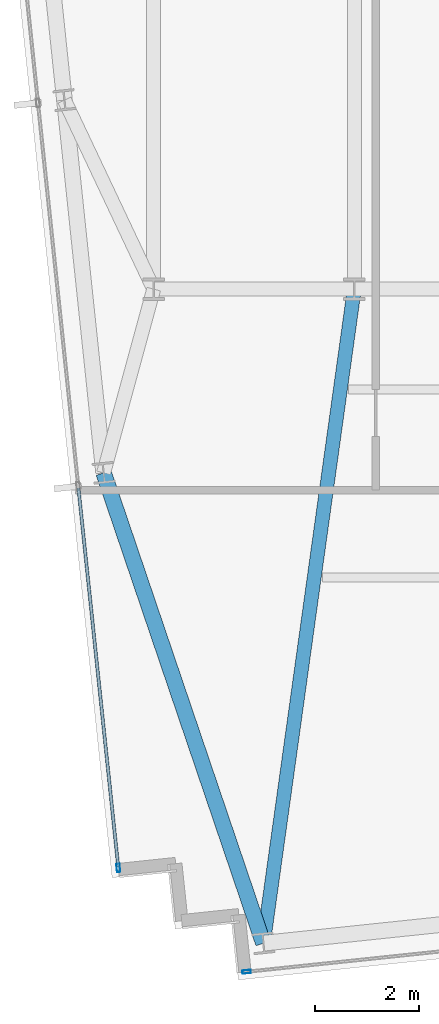
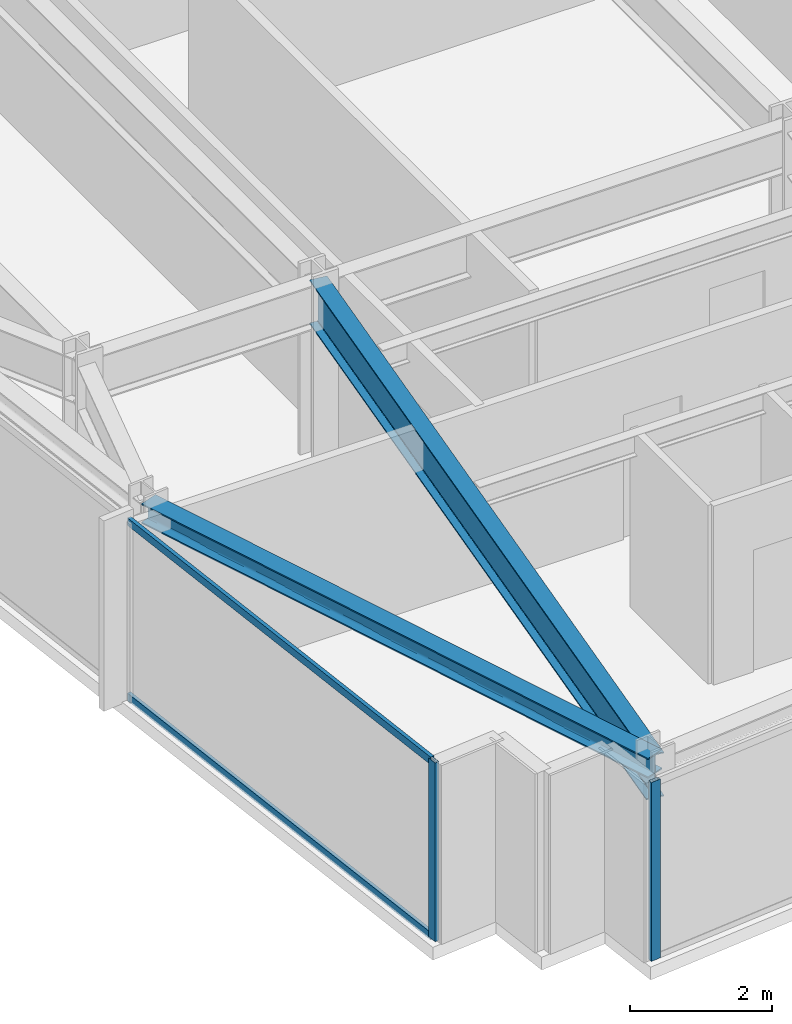
# One storey, part 2 of 33: 4 members, 2 beams, 2 elements without a shape of their own.
"""IFC4 building model written with IfcOpenShell, lengths in metres."""

from ifc_helpers import new_model, si_unit, direction, frame, origin, origin_2d, place, context, subcontext, project, spatial, hollow_rectangle, i_section, extrude, material, material_profile, profile_set, type_object, element, aggregate, save


model = new_model("IFC4")

# Units and contexts
model_context = context("Model", 3, precision=1e-05, world=origin(), true_north=direction((0.0, 1.0)))
body_context = subcontext(model_context, "Body", "Model", "MODEL_VIEW")
ifc_project = project(units=[si_unit("LENGTHUNIT", "METRE"), si_unit("AREAUNIT", "SQUARE_METRE"), si_unit("VOLUMEUNIT", "CUBIC_METRE"), si_unit("PLANEANGLEUNIT", "RADIAN"), si_unit("MASSUNIT", "GRAM", prefix="KILO")], contexts=[model_context])

# Site, building, storey
site_placement = place(None, origin())
site = spatial("IfcSite", under=ifc_project, at=site_placement, CompositionType="ELEMENT")
building_placement = place(site_placement, origin())
building = spatial("IfcBuilding", under=site, at=building_placement, Name="Yelkora Congress Tower", CompositionType="ELEMENT")
storey_placement = place(building_placement, frame((0.0, 0.0, 230.89990234375)))
storey = spatial("IfcBuildingStorey", under=building, at=storey_placement, Name="L64", CompositionType="ELEMENT", Elevation=230.89990234375)

# Beams
ifc_material_1 = material(Name="Steel S355J2", Category="steel")
ifc_material_profile_1 = material_profile(ifc_material_1, i_section(OverallWidth=0.26708984375, OverallDepth=0.761962890625, WebThickness=0.014404296875, FlangeThickness=0.021484375, FilletRadius=0.01708984375, at=origin_2d()), Name="IPE 750x173")
ifc_profile_set_1 = profile_set([ifc_material_profile_1], Name="Steel S355J2")
beam_type_1 = type_object("IfcBeamType", Name="BM-GIRD-IPE750", PredefinedType="BEAM", material=ifc_profile_set_1)
beam_1_placement = place(storey_placement, frame((21.299072265625, 12.678466796875, 2.69921875), z_axis=(0.137713626184, 0.990472088028, 0.0), x_axis=(-0.990472088028, 0.137713626184, 0.0)))
element("IfcBeam", 1, at=beam_1_placement, inside=storey, type_object=beam_type_1, Name="L64 Primary Frame Girder S01", PredefinedType="BEAM", context=body_context, shape_type="SweptSolid", body=[
    extrude(i_section(OverallWidth=0.26708984375, OverallDepth=0.761962890625, WebThickness=0.014404296875, FlangeThickness=0.021484375, FilletRadius=0.01708984375, at=origin_2d()), origin(), (0.0, 0.0, 1.0), 12.641845703125),
])
ifc_material_profile_2 = material_profile(ifc_material_1, i_section(OverallWidth=0.300048828125, OverallDepth=0.340087890625, WebThickness=0.011962890625, FlangeThickness=0.021484375, FilletRadius=0.027099609375, at=origin_2d()), Name="HEB 340")
ifc_profile_set_2 = profile_set([ifc_material_profile_2], Name="Steel S355J2")
beam_type_2 = type_object("IfcBeamType", Name="BM-SPAN-HEB340", PredefinedType="SPANDREL", material=ifc_profile_set_2)
beam_2_placement = place(storey_placement, frame((18.2412109375, 21.68310546875, 2.91015625), z_axis=(0.321552459514, -0.94689176561, 0.0), x_axis=(0.94689176561, 0.321552459514, 0.0)))
element("IfcBeam", 2, at=beam_2_placement, inside=storey, type_object=beam_type_2, Name="L64 Perimeter Beam 2", PredefinedType="SPANDREL", context=body_context, shape_type="SweptSolid", body=[
    extrude(i_section(OverallWidth=0.300048828125, OverallDepth=0.340087890625, WebThickness=0.011962890625, FlangeThickness=0.021484375, FilletRadius=0.027099609375, at=origin_2d()), origin(), (0.0, 0.0, 1.0), 9.509765625),
])

# Curtain wall, member
ifc_material_2 = material(Name="Anodised aluminium and insulated glass", Category="aluminium")
curtain_wall_type = type_object("IfcCurtainWallType", Name="CW-SYS-B4", PredefinedType="NOTDEFINED", material=ifc_material_2)
curtain_wall_1_placement = place(storey_placement, origin())
curtain_wall_1 = element("IfcCurtainWall", 3, at=curtain_wall_1_placement, inside=storey, type_object=curtain_wall_type, Name="L64 Unitised Curtain Wall 5", PredefinedType="NOTDEFINED")
ifc_material_3 = material(Name="Anodised aluminium 6063-T6", Category="aluminium")
ifc_material_profile_3 = material_profile(ifc_material_3, hollow_rectangle(XDim=0.06494140625, YDim=0.159912109375, WallThickness=0.00390625, at=origin_2d()), Name="ALU 65x160x4")
ifc_profile_set_3 = profile_set([ifc_material_profile_3], Name="Anodised aluminium 6063-T6")
member_type_1 = type_object("IfcMemberType", Name="MEM-ML-B4", PredefinedType="MULLION", material=ifc_profile_set_3)
member_1_placement = place(storey_placement, frame((18.523193359375, 14.118896484375, 0.0), z_axis=(0.0, 0.0, 1.0), x_axis=(-0.994522145958, -0.104526079034, 0.0)))
member_1 = element("IfcMember", 4, at=member_1_placement, type_object=member_type_1, Name="CW-B4 mullion 1", PredefinedType="MULLION", context=body_context, shape_type="SweptSolid", body=[
    extrude(hollow_rectangle(XDim=0.06494140625, YDim=0.159912109375, WallThickness=0.00390625, at=origin_2d()), origin(), (0.0, 0.0, 1.0), 3.080078125),
])

curtain_wall_2_placement = place(storey_placement, origin())
curtain_wall_2 = element("IfcCurtainWall", 5, at=curtain_wall_2_placement, inside=storey, type_object=curtain_wall_type, Name="L64 Unitised Curtain Wall 20", PredefinedType="NOTDEFINED")
member_2_placement = place(storey_placement, frame((20.976806640625, 12.1318359375, 0.0), z_axis=(0.0, 0.0, 1.0), x_axis=(0.104526664994, -0.994522084373, 0.0)))
member_2 = element("IfcMember", 6, at=member_2_placement, type_object=member_type_1, Name="CW-B4 mullion 8", PredefinedType="MULLION", context=body_context, shape_type="SweptSolid", body=[
    extrude(hollow_rectangle(XDim=0.06494140625, YDim=0.159912109375, WallThickness=0.00390625, at=origin_2d()), origin(), (0.0, 0.0, 1.0), 3.080078125),
])
aggregate(curtain_wall_2, [member_2])

# Member
ifc_material_profile_4 = material_profile(ifc_material_3, hollow_rectangle(XDim=0.06005859375, YDim=0.1298828125, WallThickness=0.00390625, at=origin_2d()), Name="ALU 60x130x4")
ifc_profile_set_4 = profile_set([ifc_material_profile_4], Name="Anodised aluminium 6063-T6")
member_type_2 = type_object("IfcMemberType", Name="MEM-TR-B4", PredefinedType="USERDEFINED", material=ifc_profile_set_4)
member_3_placement = place(storey_placement, frame((18.52001953125, 14.151123046875, 0.030029296875), z_axis=(-0.104527725728, 0.994521972886, 0.0), x_axis=(-0.994521972886, -0.104527725728, 0.0)))
member_3 = element("IfcMember", 7, at=member_3_placement, type_object=member_type_2, Name="CW-B4 transom 1.1", ObjectType="TRANSOM", PredefinedType="USERDEFINED", context=body_context, shape_type="SweptSolid", body=[
    extrude(hollow_rectangle(XDim=0.06005859375, YDim=0.1298828125, WallThickness=0.00390625, at=origin_2d()), origin(), (0.0, 0.0, 1.0), 7.282470703125),
])

member_4_placement = place(storey_placement, frame((18.52001953125, 14.151123046875, 3.050048828125), z_axis=(-0.104527725728, 0.994521972886, 0.0), x_axis=(-0.994521972886, -0.104527725728, 0.0)))
member_4 = element("IfcMember", 8, at=member_4_placement, type_object=member_type_2, Name="CW-B4 transom 1.2", ObjectType="TRANSOM", PredefinedType="USERDEFINED", context=body_context, shape_type="SweptSolid", body=[
    extrude(hollow_rectangle(XDim=0.06005859375, YDim=0.1298828125, WallThickness=0.00390625, at=origin_2d()), origin(), (0.0, 0.0, 1.0), 7.282470703125),
])

aggregate(curtain_wall_1, [member_1, member_3, member_4])

save(model, "model.ifc")
